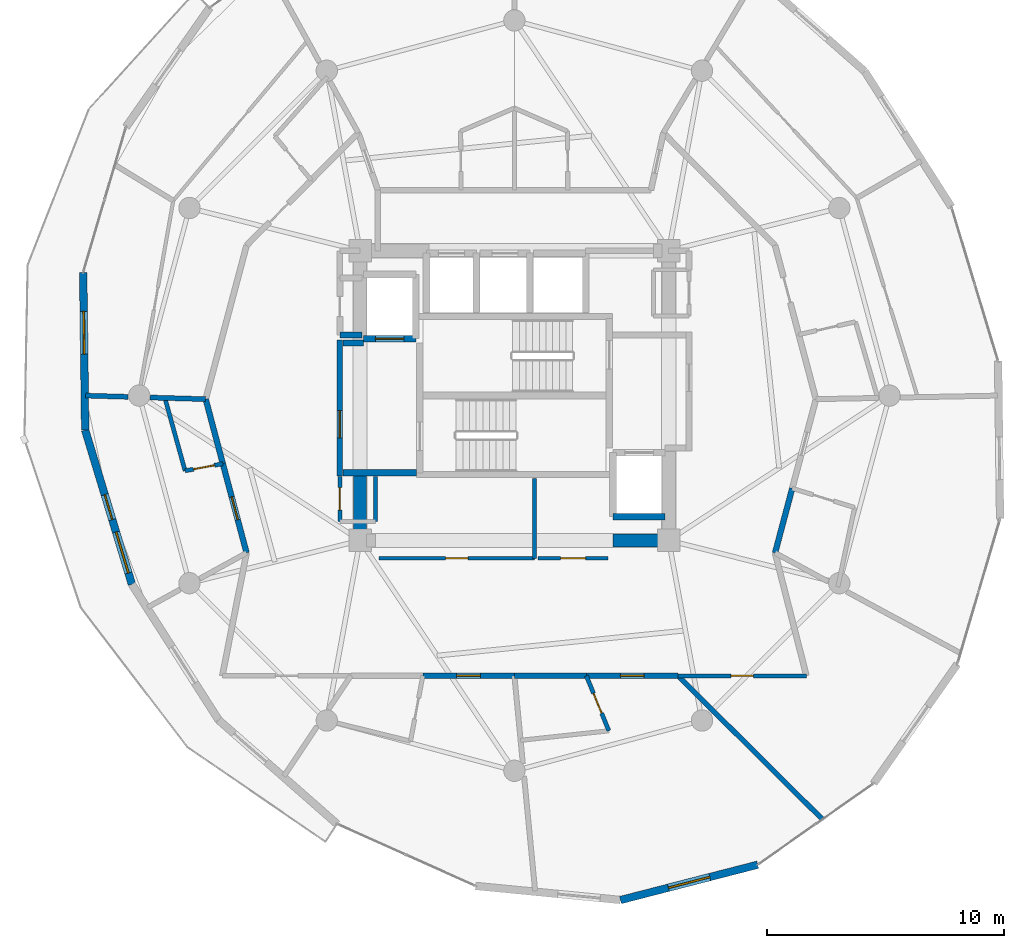
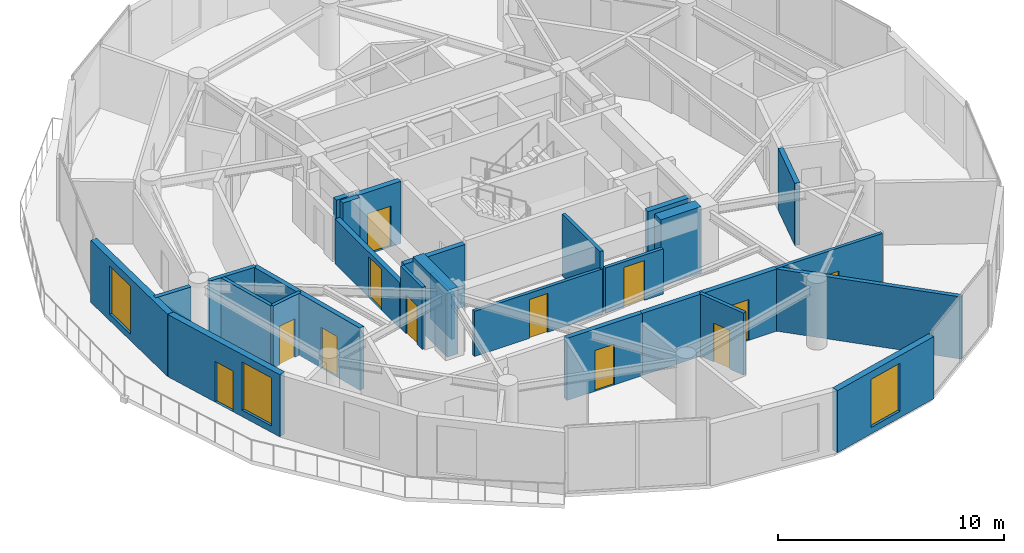
# One storey, part 16 of 21: 29 walls, 12 doors, 3 windows, 15 openings.
"""IFC4 building model written with IfcOpenShell, lengths in metres."""

from ifc_helpers import new_model, si_unit, direction, frame, frame_2d, origin, place, context, subcontext, project, spatial, rectangle, extrude, material, layer, layer_set, type_object, element, fill, save


model = new_model("IFC4")

# Units and contexts
model_context = context("Model", 3, precision=1e-05, world=origin(), true_north=direction((0.0, 1.0)))
body_context = subcontext(model_context, "Body", "Model", "MODEL_VIEW")
ifc_project = project(units=[si_unit("LENGTHUNIT", "METRE"), si_unit("AREAUNIT", "SQUARE_METRE"), si_unit("VOLUMEUNIT", "CUBIC_METRE"), si_unit("PLANEANGLEUNIT", "RADIAN"), si_unit("MASSUNIT", "GRAM", prefix="KILO")], contexts=[model_context])

# Site, building, storey
site_placement = place(None, origin())
site = spatial("IfcSite", under=ifc_project, at=site_placement, CompositionType="ELEMENT")
building_placement = place(site_placement, origin())
building = spatial("IfcBuilding", under=site, at=building_placement, Name="Solvirekh Grand Hotel", CompositionType="ELEMENT")
storey_placement = place(building_placement, frame((0.0, 0.0, 205.60009765625)))
storey = spatial("IfcBuildingStorey", under=building, at=storey_placement, Name="L53", CompositionType="ELEMENT", Elevation=205.60009765625)

# Wall, opening, door
ifc_material_1 = material(Name="Concrete C40/50", Category="concrete")
ifc_layer_1 = layer(ifc_material_1, 0.280029296875)
ifc_layer_set_1 = layer_set([ifc_layer_1], Name="Concrete C40/50")
wall_type_1 = type_object("IfcWallType", Name="CoreShaftWall_RC280", PredefinedType="SOLIDWALL", material=ifc_layer_set_1)
wall_1_placement = place(storey_placement, frame((-6.35009765625, 2.39990234375, 0.0), z_axis=(0.0, 0.0, 1.0), x_axis=(1.0, 0.0, 0.0)))
wall_1 = element("IfcWall", 1, at=wall_1_placement, inside=storey, type_object=wall_type_1, Name="L53 FL-1 hoistway S wall", PredefinedType="SOLIDWALL", context=body_context, shape_type="SweptSolid", body=[
    extrude(rectangle(XDim=2.2001953125, YDim=0.280029296875, at=frame_2d((1.10009765625, 0.0))), origin(), (0.0, 0.0, 1.0), 3.35986328125),
])
opening_1_placement = place(wall_1_placement, frame((0.5, 0.0, 0.0)))
opening_1 = element("IfcOpeningElement", 2, at=opening_1_placement, cuts=wall_1, Name="Opening LD02", PredefinedType="OPENING", context=body_context, shape_type="SweptSolid", body=[
    extrude(rectangle(XDim=1.199951171875, YDim=2.199951171875, at=frame_2d((0.60009765625, 1.10009765625))), frame((0.0, 0.14990234375, 0.0), z_axis=(0.0, -1.0, 0.0), x_axis=(1.0, 0.0, 0.0)), (0.0, 0.0, 1.0), 0.300048828125),
])
ifc_material_2 = material(Name="Fire-Rated Steel Door Assembly", Category="steel")
door_type_1 = type_object("IfcDoorType", Name="Door_LiftFF_1200X2200", OperationType="SLIDING_TO_LEFT", PredefinedType="DOOR", material=ifc_material_2)
door_1_placement = place(opening_1_placement, origin())
door_1 = element("IfcDoor", 3, at=door_1_placement, inside=storey, type_object=door_type_1, Name="L53 FL-1 sliding lift landing door", OperationType="SLIDING_TO_LEFT", OverallHeight=2.199951171875, OverallWidth=1.199951171875, PredefinedType="DOOR", context=body_context, shape_type="SweptSolid", body=[
    extrude(rectangle(XDim=1.199951171875, YDim=2.199951171875, at=frame_2d((0.60009765625, 1.10009765625))), frame((0.0, 0.02490234375, 0.0), z_axis=(0.0, -1.0, 0.0), x_axis=(1.0, 0.0, 0.0)), (0.0, 0.0, 1.0), 0.050048828125),
])
fill(opening_1, door_1)

# Walls
wall_2_placement = place(storey_placement, frame((4.14990234375, -5.10009765625, 0.0), z_axis=(0.0, 0.0, 1.0), x_axis=(1.0, 0.0, 0.0)))
element("IfcWall", 4, at=wall_2_placement, inside=storey, type_object=wall_type_1, Name="L53 FL-2 hoistway S wall", PredefinedType="SOLIDWALL", context=body_context, shape_type="SweptSolid", body=[
    extrude(rectangle(XDim=2.2001953125, YDim=0.280029296875, at=frame_2d((1.10009765625, 0.0))), origin(), (0.0, 0.0, 1.0), 3.35986328125),
])
ifc_material_3 = material(Name="Concrete C50/60", Category="concrete")
ifc_layer_2 = layer(ifc_material_3, 0.550048828125)
ifc_layer_set_2 = layer_set([ifc_layer_2], Name="Concrete C50/60")
wall_type_2 = type_object("IfcWallType", Name="CoreWall_RC550", PredefinedType="SHEAR", material=ifc_layer_set_2)
wall_3_placement = place(storey_placement, frame((4.14990234375, -6.10009765625, 0.0), z_axis=(0.0, 0.0, 1.0), x_axis=(1.0, 0.0, 0.0)))
element("IfcWall", 5, at=wall_3_placement, inside=storey, type_object=wall_type_2, Name="L53 core corner shear wall SE-S", PredefinedType="SHEAR", context=body_context, shape_type="SweptSolid", body=[
    extrude(rectangle(XDim=2.0751953125, YDim=0.550048828125, at=frame_2d((1.03759765625, 0.0))), origin(), (0.0, 0.0, 1.0), 3.599853515625),
])
wall_4_placement = place(storey_placement, frame((-6.5, -6.375, 0.0), z_axis=(0.0, 0.0, 1.0), x_axis=(0.0, 1.0, 0.0)))
element("IfcWall", 6, at=wall_4_placement, inside=storey, type_object=wall_type_2, Name="L53 core corner shear wall WS-W", PredefinedType="SHEAR", context=body_context, shape_type="SweptSolid", body=[
    extrude(rectangle(XDim=3.02490234375, YDim=0.550048828125, at=frame_2d((1.512451171875, 0.0))), origin(), (0.0, 0.0, 1.0), 3.599853515625),
])

# Wall, opening, window
ifc_material_4 = material(Name="Precast concrete C45/55", Category="concrete")
ifc_layer_3 = layer(ifc_material_4, 0.320068359375)
ifc_layer_set_3 = layer_set([ifc_layer_3], Name="Precast concrete C45/55")
wall_type_3 = type_object("IfcWallType", Name="ExtLobbyWall_RC320", PredefinedType="SOLIDWALL", material=ifc_layer_set_3)
wall_5_placement = place(storey_placement, frame((-18.074951171875, -1.450927734375, 0.0), z_axis=(0.0, 0.0, 1.0), x_axis=(-0.012654885904, 0.999919923725, 0.0)))
wall_5 = element("IfcWall", 7, at=wall_5_placement, inside=storey, type_object=wall_type_3, Name="L53 exterior structural wall chord 14", PredefinedType="SOLIDWALL", context=body_context, shape_type="SweptSolid", body=[
    extrude(rectangle(XDim=6.636474609375, YDim=0.320068359375, at=frame_2d((3.318359375, 0.0))), origin(), (0.0, 0.0, 1.0), 3.35986328125),
])
opening_2_placement = place(wall_5_placement, frame((3.194091796875, 0.0, 0.35009765625)))
opening_2 = element("IfcOpeningElement", 8, at=opening_2_placement, cuts=wall_5, Name="Opening W02", PredefinedType="OPENING", context=body_context, shape_type="SweptSolid", body=[
    extrude(rectangle(XDim=1.800048828125, YDim=2.60009765625, at=frame_2d((0.89990234375, 1.300048828125))), frame((0.0, 0.169921875, 0.0), z_axis=(0.0, -1.0, 0.0), x_axis=(1.0, 0.0, 0.0)), (0.0, 0.0, 1.0), 0.340087890625),
])
ifc_material_5 = material(Name="Low-E Tinted Bronze Laminated Glass", Category="aluminium")
window_type = type_object("IfcWindowType", Name="Win_LobbyExt_1800X2600", PartitioningType="SINGLE_PANEL", PredefinedType="WINDOW", material=ifc_material_5)
window_1_placement = place(opening_2_placement, origin())
window_1 = element("IfcWindow", 9, at=window_1_placement, inside=storey, type_object=window_type, Name="L53 panoramic bronze-framed window 14", OverallHeight=2.60009765625, OverallWidth=1.800048828125, PartitioningType="SINGLE_PANEL", PredefinedType="WINDOW", context=body_context, shape_type="SweptSolid", body=[
    extrude(rectangle(XDim=1.800048828125, YDim=2.60009765625, at=frame_2d((0.89990234375, 1.300048828125))), frame((0.0, 0.030029296875, 0.0), z_axis=(0.0, -1.0, 0.0), x_axis=(1.0, 0.0, 0.0)), (0.0, 0.0, 1.0), 0.06005859375),
])
fill(opening_2, window_1)

# Wall, openings, door, window
wall_6_placement = place(storey_placement, frame((-16.10888671875, -7.945068359375, 0.0), z_axis=(0.0, 0.0, 1.0), x_axis=(-0.289756727298, 0.957100328589, 0.0)))
wall_6 = element("IfcWall", 10, at=wall_6_placement, inside=storey, type_object=wall_type_3, Name="L53 exterior structural wall chord 15", PredefinedType="SOLIDWALL", context=body_context, shape_type="SweptSolid", body=[
    extrude(rectangle(XDim=6.78515625, YDim=0.320068359375, at=frame_2d((3.392578125, 0.0))), origin(), (0.0, 0.0, 1.0), 3.35986328125),
])
opening_3_placement = place(wall_6_placement, frame((0.49609375, 0.0, 0.35009765625)))
opening_3 = element("IfcOpeningElement", 11, at=opening_3_placement, cuts=wall_6, Name="Opening W02", PredefinedType="OPENING", context=body_context, shape_type="SweptSolid", body=[
    extrude(rectangle(XDim=1.800048828125, YDim=2.60009765625, at=frame_2d((0.89990234375, 1.300048828125))), frame((0.0, 0.169921875, 0.0), z_axis=(0.0, -1.0, 0.0), x_axis=(1.0, 0.0, 0.0)), (0.0, 0.0, 1.0), 0.340087890625),
])
opening_4_placement = place(wall_6_placement, frame((2.843017578125, 0.0, 0.0)))
opening_4 = element("IfcOpeningElement", 12, at=opening_4_placement, cuts=wall_6, Name="Opening D03", PredefinedType="OPENING", context=body_context, shape_type="SweptSolid", body=[
    extrude(rectangle(XDim=1.10009765625, YDim=2.199951171875, at=frame_2d((0.550048828125, 1.10009765625))), frame((0.0, 0.169921875, 0.0), z_axis=(0.0, -1.0, 0.0), x_axis=(1.0, 0.0, 0.0)), (0.0, 0.0, 1.0), 0.340087890625),
])
ifc_material_6 = material(Name="Anodized Bronze Aluminium 6063-T6", Category="aluminium")
door_type_2 = type_object("IfcDoorType", Name="Door_ExtBalcony_1100X2200", OperationType="NOTDEFINED", PredefinedType="DOOR", material=ifc_material_6)
door_2_placement = place(opening_4_placement, origin())
door_2 = element("IfcDoor", 13, at=door_2_placement, inside=storey, type_object=door_type_2, Name="L53 Crescent balcony glazed door (15)", OperationType="SINGLE_SWING_LEFT", OverallHeight=2.199951171875, OverallWidth=1.10009765625, PredefinedType="DOOR", context=body_context, shape_type="SweptSolid", body=[
    extrude(rectangle(XDim=1.10009765625, YDim=2.199951171875, at=frame_2d((0.550048828125, 1.10009765625))), frame((0.0, 0.02490234375, 0.0), z_axis=(0.0, -1.0, 0.0), x_axis=(1.0, 0.0, 0.0)), (0.0, 0.0, 1.0), 0.050048828125),
])
fill(opening_4, door_2)
window_2_placement = place(opening_3_placement, origin())
window_2 = element("IfcWindow", 14, at=window_2_placement, inside=storey, type_object=window_type, Name="L53 exterior side window 15", OverallHeight=2.60009765625, OverallWidth=1.800048828125, PartitioningType="SINGLE_PANEL", PredefinedType="WINDOW", context=body_context, shape_type="SweptSolid", body=[
    extrude(rectangle(XDim=1.800048828125, YDim=2.60009765625, at=frame_2d((0.89990234375, 1.300048828125))), frame((0.0, 0.030029296875, 0.0), z_axis=(0.0, -1.0, 0.0), x_axis=(1.0, 0.0, 0.0)), (0.0, 0.0, 1.0), 0.06005859375),
])
fill(opening_3, window_2)

# Wall, opening, window
wall_7_placement = place(storey_placement, frame((10.24609375, -19.757080078125, 0.0), z_axis=(0.0, 0.0, 1.0), x_axis=(-0.968412249537, -0.249354596803, 0.0)))
wall_7 = element("IfcWall", 15, at=wall_7_placement, inside=storey, type_object=wall_type_3, Name="L53 exterior structural wall chord 20", PredefinedType="SOLIDWALL", context=body_context, shape_type="SweptSolid", body=[
    extrude(rectangle(XDim=5.967529296875, YDim=0.320068359375, at=frame_2d((2.98388671875, 0.0))), origin(), (0.0, 0.0, 1.0), 3.35986328125),
])
opening_5_placement = place(wall_7_placement, frame((2.083984375, 0.0, 0.35009765625)))
opening_5 = element("IfcOpeningElement", 16, at=opening_5_placement, cuts=wall_7, Name="Opening W02", PredefinedType="OPENING", context=body_context, shape_type="SweptSolid", body=[
    extrude(rectangle(XDim=1.800048828125, YDim=2.60009765625, at=frame_2d((0.89990234375, 1.300048828125))), frame((0.0, 0.169921875, 0.0), z_axis=(0.0, -1.0, 0.0), x_axis=(1.0, 0.0, 0.0)), (0.0, 0.0, 1.0), 0.340087890625),
])
window_3_placement = place(opening_5_placement, origin())
window_3 = element("IfcWindow", 17, at=window_3_placement, inside=storey, type_object=window_type, Name="L53 panoramic bronze-framed window 20", OverallHeight=2.60009765625, OverallWidth=1.800048828125, PartitioningType="SINGLE_PANEL", PredefinedType="WINDOW", context=body_context, shape_type="SweptSolid", body=[
    extrude(rectangle(XDim=1.800048828125, YDim=2.60009765625, at=frame_2d((0.89990234375, 1.300048828125))), frame((0.0, 0.030029296875, 0.0), z_axis=(0.0, -1.0, 0.0), x_axis=(1.0, 0.0, 0.0)), (0.0, 0.0, 1.0), 0.06005859375),
])
fill(opening_5, window_3)

# Wall
ifc_material_7 = material(Name="Acoustic Gypsum Partition Assembly")
ifc_layer_4 = layer(ifc_material_7, 0.1650390625)
ifc_layer_set_4 = layer_set([ifc_layer_4], Name="Acoustic Gypsum Partition Assembly")
wall_type_4 = type_object("IfcWallType", Name="Part_BOH_165", PredefinedType="PARTITIONING", material=ifc_layer_set_4)
wall_8_placement = place(storey_placement, frame((-5.85009765625, -5.300048828125, 0.0), z_axis=(0.0, 0.0, 1.0), x_axis=(0.0, 1.0, 0.0)))
element("IfcWall", 18, at=wall_8_placement, inside=storey, type_object=wall_type_4, Name="L53 L53 Butler Service Closet wall 2", PredefinedType="PARTITIONING", context=body_context, shape_type="SweptSolid", body=[
    extrude(rectangle(XDim=1.900146484375, YDim=0.1650390625, at=frame_2d((0.9501953125, 0.0))), origin(), (0.0, 0.0, 1.0), 2.44482421875),
])

# Wall, opening, door
wall_9_placement = place(storey_placement, frame((-7.35009765625, -3.39990234375, 0.0), z_axis=(0.0, 0.0, 1.0), x_axis=(0.0, -1.0, 0.0)))
wall_9 = element("IfcWall", 19, at=wall_9_placement, inside=storey, type_object=wall_type_4, Name="L53 L53 Butler Service Closet wall 4", PredefinedType="PARTITIONING", context=body_context, shape_type="SweptSolid", body=[
    extrude(rectangle(XDim=1.900146484375, YDim=0.1650390625, at=frame_2d((0.9501953125, 0.0))), origin(), (0.0, 0.0, 1.0), 3.35986328125),
])
opening_6_placement = place(wall_9_placement, frame((0.47509765625, 0.0, 0.0)))
opening_6 = element("IfcOpeningElement", 20, at=opening_6_placement, cuts=wall_9, Name="Opening D10", PredefinedType="OPENING", context=body_context, shape_type="SweptSolid", body=[
    extrude(rectangle(XDim=0.949951171875, YDim=2.10009765625, at=frame_2d((0.47509765625, 1.050048828125))), frame((0.0, 0.092529296875, 0.0), z_axis=(0.0, -1.0, 0.0), x_axis=(1.0, 0.0, 0.0)), (0.0, 0.0, 1.0), 0.18505859375),
])
door_type_3 = type_object("IfcDoorType", Name="Door_RoomInt_950X2100", OperationType="NOTDEFINED", PredefinedType="DOOR", material=ifc_material_6)
door_3_placement = place(opening_6_placement, origin())
door_3 = element("IfcDoor", 21, at=door_3_placement, inside=storey, type_object=door_type_3, Name="L53 L53 Butler Service Closet door", OperationType="SINGLE_SWING_LEFT", OverallHeight=2.10009765625, OverallWidth=0.949951171875, PredefinedType="DOOR", context=body_context, shape_type="SweptSolid", body=[
    extrude(rectangle(XDim=0.949951171875, YDim=2.10009765625, at=frame_2d((0.47509765625, 1.050048828125))), frame((0.0, 0.02490234375, 0.0), z_axis=(0.0, -1.0, 0.0), x_axis=(1.0, 0.0, 0.0)), (0.0, 0.0, 1.0), 0.050048828125),
])
fill(opening_6, door_3)

wall_10_placement = place(storey_placement, frame((-5.699951171875, -6.85009765625, 0.0), z_axis=(0.0, 0.0, 1.0), x_axis=(1.0, 0.0, 0.0)))
wall_10 = element("IfcWall", 22, at=wall_10_placement, inside=storey, type_object=wall_type_4, Name="L53 Housekeeping Linen Room wall 1", PredefinedType="PARTITIONING", context=body_context, shape_type="SweptSolid", body=[
    extrude(rectangle(XDim=6.550048828125, YDim=0.1650390625, at=frame_2d((3.27490234375, 0.0))), origin(), (0.0, 0.0, 1.0), 2.44482421875),
])
opening_7_placement = place(wall_10_placement, frame((2.800048828125, 0.0, 0.0)))
opening_7 = element("IfcOpeningElement", 23, at=opening_7_placement, cuts=wall_10, Name="Opening D10", PredefinedType="OPENING", context=body_context, shape_type="SweptSolid", body=[
    extrude(rectangle(XDim=0.949951171875, YDim=2.10009765625, at=frame_2d((0.47509765625, 1.050048828125))), frame((0.0, 0.092529296875, 0.0), z_axis=(0.0, -1.0, 0.0), x_axis=(1.0, 0.0, 0.0)), (0.0, 0.0, 1.0), 0.18505859375),
])
door_4_placement = place(opening_7_placement, origin())
door_4 = element("IfcDoor", 24, at=door_4_placement, inside=storey, type_object=door_type_3, Name="L53 Housekeeping Linen Room door", OperationType="SINGLE_SWING_LEFT", OverallHeight=2.10009765625, OverallWidth=0.949951171875, PredefinedType="DOOR", context=body_context, shape_type="SweptSolid", body=[
    extrude(rectangle(XDim=0.949951171875, YDim=2.10009765625, at=frame_2d((0.47509765625, 1.050048828125))), frame((0.0, 0.02490234375, 0.0), z_axis=(0.0, -1.0, 0.0), x_axis=(1.0, 0.0, 0.0)), (0.0, 0.0, 1.0), 0.050048828125),
])
fill(opening_7, door_4)

# Wall
wall_11_placement = place(storey_placement, frame((0.85009765625, -6.85009765625, 0.0), z_axis=(0.0, 0.0, 1.0), x_axis=(0.0, 1.0, 0.0)))
element("IfcWall", 25, at=wall_11_placement, inside=storey, type_object=wall_type_4, Name="L53 Housekeeping Linen Room wall 2", PredefinedType="PARTITIONING", context=body_context, shape_type="SweptSolid", body=[
    extrude(rectangle(XDim=3.35009765625, YDim=0.1650390625, at=frame_2d((1.675048828125, 0.0))), origin(), (0.0, 0.0, 1.0), 3.35986328125),
])

# Wall, opening, door
wall_12_placement = place(storey_placement, frame((1.0, -6.85009765625, 0.0), z_axis=(0.0, 0.0, 1.0), x_axis=(1.0, 0.0, 0.0)))
wall_12 = element("IfcWall", 26, at=wall_12_placement, inside=storey, type_object=wall_type_4, Name="L53 Chilled Water Manifold Room wall 1", PredefinedType="PARTITIONING", context=body_context, shape_type="SweptSolid", body=[
    extrude(rectangle(XDim=2.949951171875, YDim=0.1650390625, at=frame_2d((1.47509765625, 0.0))), origin(), (0.0, 0.0, 1.0), 2.44482421875),
])
opening_8_placement = place(wall_12_placement, frame((0.949951171875, 0.0, 0.0)))
opening_8 = element("IfcOpeningElement", 27, at=opening_8_placement, cuts=wall_12, Name="Opening D12", PredefinedType="OPENING", context=body_context, shape_type="SweptSolid", body=[
    extrude(rectangle(XDim=1.050048828125, YDim=2.14990234375, at=frame_2d((0.52490234375, 1.074951171875))), frame((0.0, 0.092529296875, 0.0), z_axis=(0.0, -1.0, 0.0), x_axis=(1.0, 0.0, 0.0)), (0.0, 0.0, 1.0), 0.18505859375),
])
door_type_4 = type_object("IfcDoorType", Name="Door_PlantBOH_1050X2150", OperationType="NOTDEFINED", PredefinedType="DOOR", material=ifc_material_2)
door_5_placement = place(opening_8_placement, origin())
door_5 = element("IfcDoor", 28, at=door_5_placement, inside=storey, type_object=door_type_4, Name="L53 Chilled Water Manifold Room door", OperationType="SINGLE_SWING_RIGHT", OverallHeight=2.14990234375, OverallWidth=1.050048828125, PredefinedType="DOOR", context=body_context, shape_type="SweptSolid", body=[
    extrude(rectangle(XDim=1.050048828125, YDim=2.14990234375, at=frame_2d((0.52490234375, 1.074951171875))), frame((0.0, 0.02490234375, 0.0), z_axis=(0.0, -1.0, 0.0), x_axis=(1.0, 0.0, 0.0)), (0.0, 0.0, 1.0), 0.050048828125),
])
fill(opening_8, door_5)

wall_13_placement = place(storey_placement, frame((6.887939453125, -11.800048828125, 0.0), z_axis=(0.0, 0.0, 1.0), x_axis=(1.0, 0.0, 0.0)))
wall_13 = element("IfcWall", 29, at=wall_13_placement, inside=storey, type_object=wall_type_4, Name="L53 L53 Butler Valet & Linen Steward Room entrance wall", PredefinedType="PARTITIONING", context=body_context, shape_type="SweptSolid", body=[
    extrude(rectangle(XDim=5.412109375, YDim=0.1650390625, at=frame_2d((2.7060546875, 0.0))), origin(), (0.0, 0.0, 1.0), 3.35986328125),
])
opening_9_placement = place(wall_13_placement, frame((2.23095703125, 0.0, 0.0)))
opening_9 = element("IfcOpeningElement", 30, at=opening_9_placement, cuts=wall_13, Name="Opening D10", PredefinedType="OPENING", context=body_context, shape_type="SweptSolid", body=[
    extrude(rectangle(XDim=0.949951171875, YDim=2.10009765625, at=frame_2d((0.47509765625, 1.050048828125))), frame((0.0, 0.092529296875, 0.0), z_axis=(0.0, -1.0, 0.0), x_axis=(1.0, 0.0, 0.0)), (0.0, 0.0, 1.0), 0.18505859375),
])
door_6_placement = place(opening_9_placement, origin())
door_6 = element("IfcDoor", 31, at=door_6_placement, inside=storey, type_object=door_type_3, Name="L53 L53 Butler Valet & Linen Steward Room entrance door", OperationType="SINGLE_SWING_RIGHT", OverallHeight=2.10009765625, OverallWidth=0.949951171875, PredefinedType="DOOR", context=body_context, shape_type="SweptSolid", body=[
    extrude(rectangle(XDim=0.949951171875, YDim=2.10009765625, at=frame_2d((0.47509765625, 1.050048828125))), frame((0.0, 0.02490234375, 0.0), z_axis=(0.0, -1.0, 0.0), x_axis=(1.0, 0.0, 0.0)), (0.0, 0.0, 1.0), 0.050048828125),
])
fill(opening_9, door_6)

ifc_layer_5 = layer(ifc_material_7, 0.239990234375)
ifc_layer_set_5 = layer_set([ifc_layer_5], Name="Acoustic Gypsum Partition Assembly")
wall_type_5 = type_object("IfcWallType", Name="Part_Corridor_240", PredefinedType="PARTITIONING", material=ifc_layer_set_5)
wall_14_placement = place(storey_placement, frame((-7.35009765625, -3.3798828125, 0.0), z_axis=(0.0, 0.0, 1.0), x_axis=(0.0, 1.0, 0.0)))
wall_14 = element("IfcWall", 32, at=wall_14_placement, inside=storey, type_object=wall_type_5, Name="L53 west firefighting lobby smoke screen wall", PredefinedType="PARTITIONING", context=body_context, shape_type="SweptSolid", body=[
    extrude(rectangle(XDim=5.719970703125, YDim=0.239990234375, at=frame_2d((2.85986328125, 0.0))), origin(), (0.0, 0.0, 1.0), 2.44482421875),
])
opening_10_placement = place(wall_14_placement, frame((1.59912109375, 0.0, 0.0)))
opening_10 = element("IfcOpeningElement", 33, at=opening_10_placement, cuts=wall_14, Name="Opening D06", PredefinedType="OPENING", context=body_context, shape_type="SweptSolid", body=[
    extrude(rectangle(XDim=1.14990234375, YDim=2.199951171875, at=frame_2d((0.574951171875, 1.10009765625))), frame((0.0, 0.1298828125, 0.0), z_axis=(0.0, -1.0, 0.0), x_axis=(1.0, 0.0, 0.0)), (0.0, 0.0, 1.0), 0.260009765625),
])
door_type_5 = type_object("IfcDoorType", Name="Door_FFLobby_1150X2200", OperationType="NOTDEFINED", PredefinedType="DOOR", material=ifc_material_2)
door_7_placement = place(opening_10_placement, origin())
door_7 = element("IfcDoor", 34, at=door_7_placement, inside=storey, type_object=door_type_5, Name="L53 west firefighting lobby smoke door", OperationType="SINGLE_SWING_RIGHT", OverallHeight=2.199951171875, OverallWidth=1.14990234375, PredefinedType="DOOR", context=body_context, shape_type="SweptSolid", body=[
    extrude(rectangle(XDim=1.14990234375, YDim=2.199951171875, at=frame_2d((0.574951171875, 1.10009765625))), frame((0.0, 0.02490234375, 0.0), z_axis=(0.0, -1.0, 0.0), x_axis=(1.0, 0.0, 0.0)), (0.0, 0.0, 1.0), 0.050048828125),
])
fill(opening_10, door_7)

# Wall
wall_15_placement = place(storey_placement, frame((-13.0, -0.14990234375, 0.0), z_axis=(0.0, 0.0, 1.0), x_axis=(0.256944245483, -0.966426228283, 0.0)))
element("IfcWall", 35, at=wall_15_placement, inside=storey, type_object=wall_type_5, Name="L53 En-suite Bathroom 5504 corridor backing wall", PredefinedType="PARTITIONING", context=body_context, shape_type="SweptSolid", body=[
    extrude(rectangle(XDim=2.8134765625, YDim=0.239990234375, at=frame_2d((1.40673828125, 0.0))), origin(), (0.0, 0.0, 1.0), 3.35986328125),
])

# Wall, opening, door
wall_16_placement = place(storey_placement, frame((-12.277099609375, -2.868896484375, 0.0), z_axis=(0.0, 0.0, 1.0), x_axis=(0.257037057674, -0.966401547486, 0.0)))
wall_16 = element("IfcWall", 36, at=wall_16_placement, inside=storey, type_object=wall_type_5, Name="L53 Deluxe Guestroom 5504 entrance wall", PredefinedType="PARTITIONING", context=body_context, shape_type="SweptSolid", body=[
    extrude(rectangle(XDim=3.88671875, YDim=0.239990234375, at=frame_2d((1.943359375, 0.0))), origin(), (0.0, 0.0, 1.0), 3.35986328125),
])
opening_11_placement = place(wall_16_placement, frame((1.443115234375, 0.0, 0.0)))
opening_11 = element("IfcOpeningElement", 37, at=opening_11_placement, cuts=wall_16, Name="Opening D07", PredefinedType="OPENING", context=body_context, shape_type="SweptSolid", body=[
    extrude(rectangle(XDim=1.0, YDim=2.199951171875, at=frame_2d((0.5, 1.10009765625))), frame((0.0, 0.1298828125, 0.0), z_axis=(0.0, -1.0, 0.0), x_axis=(1.0, 0.0, 0.0)), (0.0, 0.0, 1.0), 0.260009765625),
])
door_type_6 = type_object("IfcDoorType", Name="Door_GuestEntry_1000X2200", OperationType="NOTDEFINED", PredefinedType="DOOR", material=ifc_material_2)
door_8_placement = place(opening_11_placement, origin())
door_8 = element("IfcDoor", 38, at=door_8_placement, inside=storey, type_object=door_type_6, Name="L53 Deluxe Guestroom 5504 entrance door", OperationType="SINGLE_SWING_RIGHT", OverallHeight=2.199951171875, OverallWidth=1.0, PredefinedType="DOOR", context=body_context, shape_type="SweptSolid", body=[
    extrude(rectangle(XDim=1.0, YDim=2.199951171875, at=frame_2d((0.5, 1.10009765625))), frame((0.0, 0.02490234375, 0.0), z_axis=(0.0, -1.0, 0.0), x_axis=(1.0, 0.0, 0.0)), (0.0, 0.0, 1.0), 0.050048828125),
])
fill(opening_11, door_8)

# Wall
wall_17_placement = place(storey_placement, frame((10.97802734375, -6.625, 0.0), z_axis=(0.0, 0.0, 1.0), x_axis=(0.256944245483, 0.966426228283, 0.0)))
element("IfcWall", 39, at=wall_17_placement, inside=storey, type_object=wall_type_5, Name="L53 En-suite Bathroom 5505 corridor backing wall", PredefinedType="PARTITIONING", context=body_context, shape_type="SweptSolid", body=[
    extrude(rectangle(XDim=2.8134765625, YDim=0.239990234375, at=frame_2d((1.40673828125, 0.0))), origin(), (0.0, 0.0, 1.0), 3.35986328125),
])

# Wall, opening, door
wall_18_placement = place(storey_placement, frame((-3.85693359375, -11.800048828125, 0.0), z_axis=(0.0, 0.0, 1.0), x_axis=(1.0, 0.0, 0.0)))
wall_18 = element("IfcWall", 40, at=wall_18_placement, inside=storey, type_object=wall_type_5, Name="L53 Deluxe Guestroom 5507 entrance wall", PredefinedType="PARTITIONING", context=body_context, shape_type="SweptSolid", body=[
    extrude(rectangle(XDim=3.85693359375, YDim=0.239990234375, at=frame_2d((1.928466796875, 0.0))), origin(), (0.0, 0.0, 1.0), 3.35986328125),
])
opening_12_placement = place(wall_18_placement, frame((1.428955078125, 0.0, 0.0)))
opening_12 = element("IfcOpeningElement", 41, at=opening_12_placement, cuts=wall_18, Name="Opening D07", PredefinedType="OPENING", context=body_context, shape_type="SweptSolid", body=[
    extrude(rectangle(XDim=1.0, YDim=2.199951171875, at=frame_2d((0.5, 1.10009765625))), frame((0.0, 0.1298828125, 0.0), z_axis=(0.0, -1.0, 0.0), x_axis=(1.0, 0.0, 0.0)), (0.0, 0.0, 1.0), 0.260009765625),
])
door_9_placement = place(opening_12_placement, origin())
door_9 = element("IfcDoor", 42, at=door_9_placement, inside=storey, type_object=door_type_6, Name="L53 Deluxe Guestroom 5507 entrance door", OperationType="SINGLE_SWING_LEFT", OverallHeight=2.199951171875, OverallWidth=1.0, PredefinedType="DOOR", context=body_context, shape_type="SweptSolid", body=[
    extrude(rectangle(XDim=1.0, YDim=2.199951171875, at=frame_2d((0.5, 1.10009765625))), frame((0.0, 0.02490234375, 0.0), z_axis=(0.0, -1.0, 0.0), x_axis=(1.0, 0.0, 0.0)), (0.0, 0.0, 1.0), 0.050048828125),
])
fill(opening_12, door_9)

# Wall
wall_19_placement = place(storey_placement, frame((0.0, -11.800048828125, 0.0), z_axis=(0.0, 0.0, 1.0), x_axis=(1.0, 0.0, 0.0)))
element("IfcWall", 43, at=wall_19_placement, inside=storey, type_object=wall_type_5, Name="L53 En-suite Bathroom 5508 corridor backing wall", PredefinedType="PARTITIONING", context=body_context, shape_type="SweptSolid", body=[
    extrude(rectangle(XDim=3.031005859375, YDim=0.239990234375, at=frame_2d((1.515625, 0.0))), origin(), (0.0, 0.0, 1.0), 3.35986328125),
])

# Wall, opening, door
wall_20_placement = place(storey_placement, frame((3.031005859375, -11.800048828125, 0.0), z_axis=(0.0, 0.0, 1.0), x_axis=(1.0, 0.0, 0.0)))
wall_20 = element("IfcWall", 44, at=wall_20_placement, inside=storey, type_object=wall_type_5, Name="L53 Deluxe Guestroom 5508 entrance wall", PredefinedType="PARTITIONING", context=body_context, shape_type="SweptSolid", body=[
    extrude(rectangle(XDim=3.85693359375, YDim=0.239990234375, at=frame_2d((1.928466796875, 0.0))), origin(), (0.0, 0.0, 1.0), 3.35986328125),
])
opening_13_placement = place(wall_20_placement, frame((1.427978515625, 0.0, 0.0)))
opening_13 = element("IfcOpeningElement", 45, at=opening_13_placement, cuts=wall_20, Name="Opening D07", PredefinedType="OPENING", context=body_context, shape_type="SweptSolid", body=[
    extrude(rectangle(XDim=1.0, YDim=2.199951171875, at=frame_2d((0.5, 1.10009765625))), frame((0.0, 0.1298828125, 0.0), z_axis=(0.0, -1.0, 0.0), x_axis=(1.0, 0.0, 0.0)), (0.0, 0.0, 1.0), 0.260009765625),
])
door_10_placement = place(opening_13_placement, origin())
door_10 = element("IfcDoor", 46, at=door_10_placement, inside=storey, type_object=door_type_6, Name="L53 Deluxe Guestroom 5508 entrance door", OperationType="SINGLE_SWING_LEFT", OverallHeight=2.199951171875, OverallWidth=1.0, PredefinedType="DOOR", context=body_context, shape_type="SweptSolid", body=[
    extrude(rectangle(XDim=1.0, YDim=2.199951171875, at=frame_2d((0.5, 1.10009765625))), frame((0.0, 0.02490234375, 0.0), z_axis=(0.0, -1.0, 0.0), x_axis=(1.0, 0.0, 0.0)), (0.0, 0.0, 1.0), 0.050048828125),
])
fill(opening_13, door_10)

# Walls
ifc_layer_6 = layer(ifc_material_7, 0.260009765625)
ifc_layer_set_6 = layer_set([ifc_layer_6], Name="Acoustic Gypsum Partition Assembly")
wall_type_6 = type_object("IfcWallType", Name="Part_LobbyFF_260", PredefinedType="PARTITIONING", material=ifc_layer_set_6)
wall_21_placement = place(storey_placement, frame((-7.22509765625, -3.25, 0.0), z_axis=(0.0, 0.0, 1.0), x_axis=(1.0, 0.0, 0.0)))
element("IfcWall", 47, at=wall_21_placement, inside=storey, type_object=wall_type_6, Name="L53 west firefighting lobby south partition", PredefinedType="PARTITIONING", context=body_context, shape_type="SweptSolid", body=[
    extrude(rectangle(XDim=3.09521484375, YDim=0.260009765625, at=frame_2d((1.547607421875, 0.0))), origin(), (0.0, 0.0, 1.0), 3.35986328125),
])
wall_22_placement = place(storey_placement, frame((-7.22509765625, 2.2099609375, 0.0), z_axis=(0.0, 0.0, 1.0), x_axis=(1.0, 0.0, 0.0)))
element("IfcWall", 48, at=wall_22_placement, inside=storey, type_object=wall_type_6, Name="L53 west firefighting lobby NW cheek", PredefinedType="PARTITIONING", context=body_context, shape_type="SweptSolid", body=[
    extrude(rectangle(XDim=0.875, YDim=0.260009765625, at=frame_2d((0.4375, 0.0))), origin(), (0.0, 0.0, 1.0), 3.35986328125),
])
wall_23_placement = place(storey_placement, frame((-7.35009765625, 2.550048828125, 0.0), z_axis=(0.0, 0.0, 1.0), x_axis=(1.0, 0.0, 0.0)))
element("IfcWall", 49, at=wall_23_placement, inside=storey, type_object=wall_type_6, Name="L53 NW telecom metering cupboard south wall", PredefinedType="PARTITIONING", context=body_context, shape_type="SweptSolid", body=[
    extrude(rectangle(XDim=0.93017578125, YDim=0.260009765625, at=frame_2d((0.465087890625, 0.0))), origin(), (0.0, 0.0, 1.0), 3.35986328125),
])
ifc_layer_7 = layer(ifc_material_7, 0.2099609375)
ifc_layer_set_7 = layer_set([ifc_layer_7], Name="Acoustic Gypsum Partition Assembly")
wall_type_7 = type_object("IfcWallType", Name="Part_SuiteDemise_210", PredefinedType="PARTITIONING", material=ifc_layer_set_7)
wall_24_placement = place(storey_placement, frame((-13.0, -0.14990234375, 0.0), z_axis=(0.0, 0.0, 1.0), x_axis=(-0.999566309164, 0.029448150771, 0.0)))
element("IfcWall", 50, at=wall_24_placement, inside=storey, type_object=wall_type_7, Name="L53 suite radial wall 7 (A)", PredefinedType="PARTITIONING", context=body_context, shape_type="SweptSolid", body=[
    extrude(rectangle(XDim=2.337890625, YDim=0.2099609375, at=frame_2d((1.1689453125, 0.0))), origin(), (0.0, 0.0, 1.0), 3.35986328125),
])
wall_25_placement = place(storey_placement, frame((-16.26708984375, -0.052978515625, 0.0), z_axis=(0.0, 0.0, 1.0), x_axis=(-0.999560281957, 0.029652027503, 0.0)))
element("IfcWall", 51, at=wall_25_placement, inside=storey, type_object=wall_type_7, Name="L53 suite radial wall 7 (B)", PredefinedType="PARTITIONING", context=body_context, shape_type="SweptSolid", body=[
    extrude(rectangle(XDim=1.78662109375, YDim=0.2099609375, at=frame_2d((0.893310546875, 0.0))), origin(), (0.0, 0.0, 1.0), 3.35986328125),
])
wall_26_placement = place(storey_placement, frame((6.887939453125, -11.800048828125, 0.0), z_axis=(0.0, 0.0, 1.0), x_axis=(0.709447324451, -0.704758464887, 0.0)))
element("IfcWall", 52, at=wall_26_placement, inside=storey, type_object=wall_type_7, Name="L53 Deluxe Guestroom 5508 dividing partition 1", PredefinedType="PARTITIONING", context=body_context, shape_type="SweptSolid", body=[
    extrude(rectangle(XDim=8.539306640625, YDim=0.2099609375, at=frame_2d((4.26953125, 0.0))), origin(), (0.0, 0.0, 1.0), 3.35986328125),
])
ifc_layer_8 = layer(ifc_material_7, 0.175048828125)
ifc_layer_set_8 = layer_set([ifc_layer_8], Name="Acoustic Gypsum Partition Assembly")
wall_type_8 = type_object("IfcWallType", Name="Plumb_Ensuite_175", PredefinedType="PLUMBINGWALL", material=ifc_layer_set_8)
wall_27_placement = place(storey_placement, frame((-14.718017578125, -0.09912109375, 0.0), z_axis=(0.0, 0.0, 1.0), x_axis=(0.267034684906, -0.963686918588, 0.0)))
element("IfcWall", 53, at=wall_27_placement, inside=storey, type_object=wall_type_8, Name="L53 En-suite Bathroom 5504 outer plumbing wall", PredefinedType="PLUMBINGWALL", context=body_context, shape_type="SweptSolid", body=[
    extrude(rectangle(XDim=3.18359375, YDim=0.175048828125, at=frame_2d((1.591796875, 0.0))), origin(), (0.0, 0.0, 1.0), 3.35986328125),
])

# Wall, opening, door
wall_28_placement = place(storey_placement, frame((-12.277099609375, -2.868896484375, 0.0), z_axis=(0.0, 0.0, 1.0), x_axis=(-0.982892672731, -0.184179243923, 0.0)))
wall_28 = element("IfcWall", 54, at=wall_28_placement, inside=storey, type_object=wall_type_8, Name="L53 En-suite Bathroom 5504 entry plumbing wall", PredefinedType="PLUMBINGWALL", context=body_context, shape_type="SweptSolid", body=[
    extrude(rectangle(XDim=1.618408203125, YDim=0.175048828125, at=frame_2d((0.80908203125, 0.0))), origin(), (0.0, 0.0, 1.0), 3.35986328125),
])
opening_14_placement = place(wall_28_placement, frame((0.35888671875, 0.0, 0.0)))
opening_14 = element("IfcOpeningElement", 55, at=opening_14_placement, cuts=wall_28, Name="Opening D09", PredefinedType="OPENING", context=body_context, shape_type="SweptSolid", body=[
    extrude(rectangle(XDim=0.89990234375, YDim=2.10009765625, at=frame_2d((0.449951171875, 1.050048828125))), frame((0.0, 0.09765625, 0.0), z_axis=(0.0, -1.0, 0.0), x_axis=(1.0, 0.0, 0.0)), (0.0, 0.0, 1.0), 0.195068359375),
])
door_type_7 = type_object("IfcDoorType", Name="Door_Ensuite_900X2100", OperationType="NOTDEFINED", PredefinedType="DOOR", material=ifc_material_6)
door_11_placement = place(opening_14_placement, origin())
door_11 = element("IfcDoor", 56, at=door_11_placement, inside=storey, type_object=door_type_7, Name="L53 En-suite Bathroom 5504 door", OperationType="SINGLE_SWING_LEFT", OverallHeight=2.10009765625, OverallWidth=0.89990234375, PredefinedType="DOOR", context=body_context, shape_type="SweptSolid", body=[
    extrude(rectangle(XDim=0.89990234375, YDim=2.10009765625, at=frame_2d((0.449951171875, 1.050048828125))), frame((0.0, 0.02490234375, 0.0), z_axis=(0.0, -1.0, 0.0), x_axis=(1.0, 0.0, 0.0)), (0.0, 0.0, 1.0), 0.050048828125),
])
fill(opening_14, door_11)

wall_29_placement = place(storey_placement, frame((3.031005859375, -11.800048828125, 0.0), z_axis=(0.0, 0.0, 1.0), x_axis=(0.378496062934, -0.925602901002, 0.0)))
wall_29 = element("IfcWall", 57, at=wall_29_placement, inside=storey, type_object=wall_type_8, Name="L53 En-suite Bathroom 5508 entry plumbing wall", PredefinedType="PLUMBINGWALL", context=body_context, shape_type="SweptSolid", body=[
    extrude(rectangle(XDim=2.501953125, YDim=0.175048828125, at=frame_2d((1.2509765625, 0.0))), origin(), (0.0, 0.0, 1.0), 3.35986328125),
])
opening_15_placement = place(wall_29_placement, frame((0.801025390625, 0.0, 0.0)))
opening_15 = element("IfcOpeningElement", 58, at=opening_15_placement, cuts=wall_29, Name="Opening D09", PredefinedType="OPENING", context=body_context, shape_type="SweptSolid", body=[
    extrude(rectangle(XDim=0.89990234375, YDim=2.10009765625, at=frame_2d((0.449951171875, 1.050048828125))), frame((0.0, 0.09765625, 0.0), z_axis=(0.0, -1.0, 0.0), x_axis=(1.0, 0.0, 0.0)), (0.0, 0.0, 1.0), 0.195068359375),
])
door_12_placement = place(opening_15_placement, origin())
door_12 = element("IfcDoor", 59, at=door_12_placement, inside=storey, type_object=door_type_7, Name="L53 En-suite Bathroom 5508 door", OperationType="SINGLE_SWING_RIGHT", OverallHeight=2.10009765625, OverallWidth=0.89990234375, PredefinedType="DOOR", context=body_context, shape_type="SweptSolid", body=[
    extrude(rectangle(XDim=0.89990234375, YDim=2.10009765625, at=frame_2d((0.449951171875, 1.050048828125))), frame((0.0, 0.02490234375, 0.0), z_axis=(0.0, -1.0, 0.0), x_axis=(1.0, 0.0, 0.0)), (0.0, 0.0, 1.0), 0.050048828125),
])
fill(opening_15, door_12)

save(model, "model.ifc")
